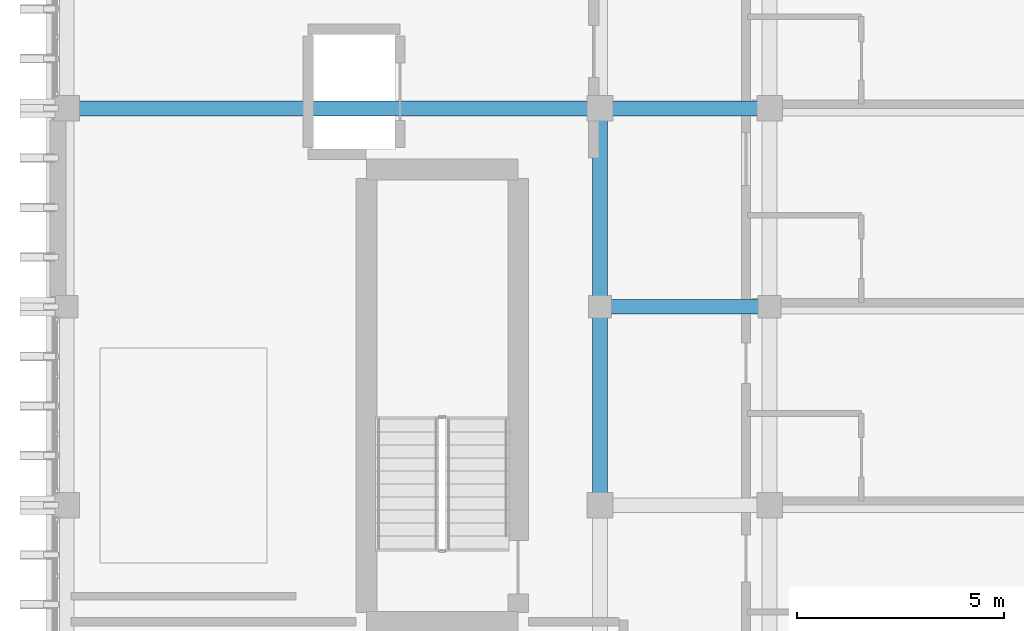
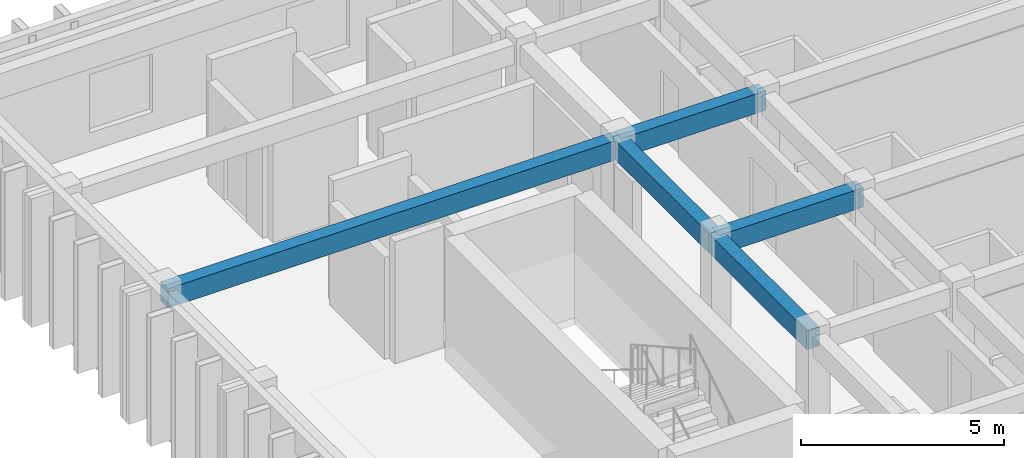
# One storey, part 29 of 50: 5 beams.
"""IFC4 building model written with IfcOpenShell, lengths in metres."""

from ifc_helpers import new_model, si_unit, direction, frame, origin, origin_2d, place, context, subcontext, project, spatial, rectangle, extrude, material, material_profile, profile_set, type_object, element, save


model = new_model("IFC4")

# Units and contexts
model_context = context("Model", 3, precision=1e-05, world=origin(), true_north=direction((0.0, 1.0)))
body_context = subcontext(model_context, "Body", "Model", "MODEL_VIEW")
ifc_project = project(units=[si_unit("LENGTHUNIT", "METRE"), si_unit("AREAUNIT", "SQUARE_METRE"), si_unit("VOLUMEUNIT", "CUBIC_METRE"), si_unit("PLANEANGLEUNIT", "RADIAN"), si_unit("MASSUNIT", "GRAM", prefix="KILO")], contexts=[model_context])

# Site, building, storey
site_placement = place(None, origin())
site = spatial("IfcSite", under=ifc_project, at=site_placement, CompositionType="ELEMENT")
building_placement = place(site_placement, origin())
building = spatial("IfcBuilding", under=site, at=building_placement, Name="Nakhvara Creek Congress Hotel", CompositionType="ELEMENT")
storey_placement = place(building_placement, frame((0.0, 0.0, 42.60009765625)))
storey = spatial("IfcBuildingStorey", under=building, at=storey_placement, Name="L10", CompositionType="ELEMENT", Elevation=42.60009765625)

# Beams
ifc_material = material(Name="Concrete C40/50", Category="concrete")
ifc_material_profile = material_profile(ifc_material, rectangle(XDim=0.360107421875, YDim=0.580078125, at=origin_2d()), Name="RC-BM 360x580", Category="LoadBearing")
ifc_profile_set = profile_set([ifc_material_profile], Name="Concrete C40/50")
beam_type = type_object("IfcBeamType", Name="BM-RC-360X580", PredefinedType="BEAM", material=ifc_profile_set)
beam_1_placement = place(storey_placement, frame((149.449951171875, 115.199951171875, 3.369873046875), z_axis=(1.0, 0.0, 0.0), x_axis=(0.0, 1.0, 0.0)))
element("IfcBeam", 1, at=beam_1_placement, inside=storey, type_object=beam_type, Name="Beam B09-L10-2643", PredefinedType="BEAM", context=body_context, shape_type="SweptSolid", body=[
    extrude(rectangle(XDim=0.360107421875, YDim=0.580078125, at=origin_2d()), origin(), (0.0, 0.0, 1.0), 12.900146484375),
])
beam_2_placement = place(storey_placement, frame((162.35009765625, 105.60009765625, 3.369873046875), z_axis=(0.0, 1.0, 0.0), x_axis=(-1.0, 0.0, 0.0)))
element("IfcBeam", 2, at=beam_2_placement, inside=storey, type_object=beam_type, Name="Beam B09-L10-2662", PredefinedType="BEAM", context=body_context, shape_type="SweptSolid", body=[
    extrude(rectangle(XDim=0.360107421875, YDim=0.580078125, at=origin_2d()), origin(), (0.0, 0.0, 1.0), 4.7998046875),
])
beam_3_placement = place(storey_placement, frame((162.35009765625, 115.199951171875, 3.369873046875), z_axis=(1.0, 0.0, 0.0), x_axis=(0.0, 1.0, 0.0)))
element("IfcBeam", 3, at=beam_3_placement, inside=storey, type_object=beam_type, Name="Beam B09-L10-2663", PredefinedType="BEAM", context=body_context, shape_type="SweptSolid", body=[
    extrude(rectangle(XDim=0.360107421875, YDim=0.580078125, at=origin_2d()), origin(), (0.0, 0.0, 1.0), 4.099853515625),
])
beam_4_placement = place(storey_placement, frame((162.35009765625, 110.39990234375, 3.369873046875), z_axis=(0.0, 1.0, 0.0), x_axis=(-1.0, 0.0, 0.0)))
element("IfcBeam", 4, at=beam_4_placement, inside=storey, type_object=beam_type, Name="Beam B09-L10-2664", PredefinedType="BEAM", context=body_context, shape_type="SweptSolid", body=[
    extrude(rectangle(XDim=0.360107421875, YDim=0.580078125, at=origin_2d()), origin(), (0.0, 0.0, 1.0), 4.800048828125),
])
beam_5_placement = place(storey_placement, frame((162.35009765625, 110.39990234375, 3.369873046875), z_axis=(1.0, 0.0, 0.0), x_axis=(0.0, 1.0, 0.0)))
element("IfcBeam", 5, at=beam_5_placement, inside=storey, type_object=beam_type, Name="Beam B09-L10-2711", PredefinedType="BEAM", context=body_context, shape_type="SweptSolid", body=[
    extrude(rectangle(XDim=0.360107421875, YDim=0.580078125, at=origin_2d()), origin(), (0.0, 0.0, 1.0), 4.099853515625),
])

save(model, "model.ifc")
